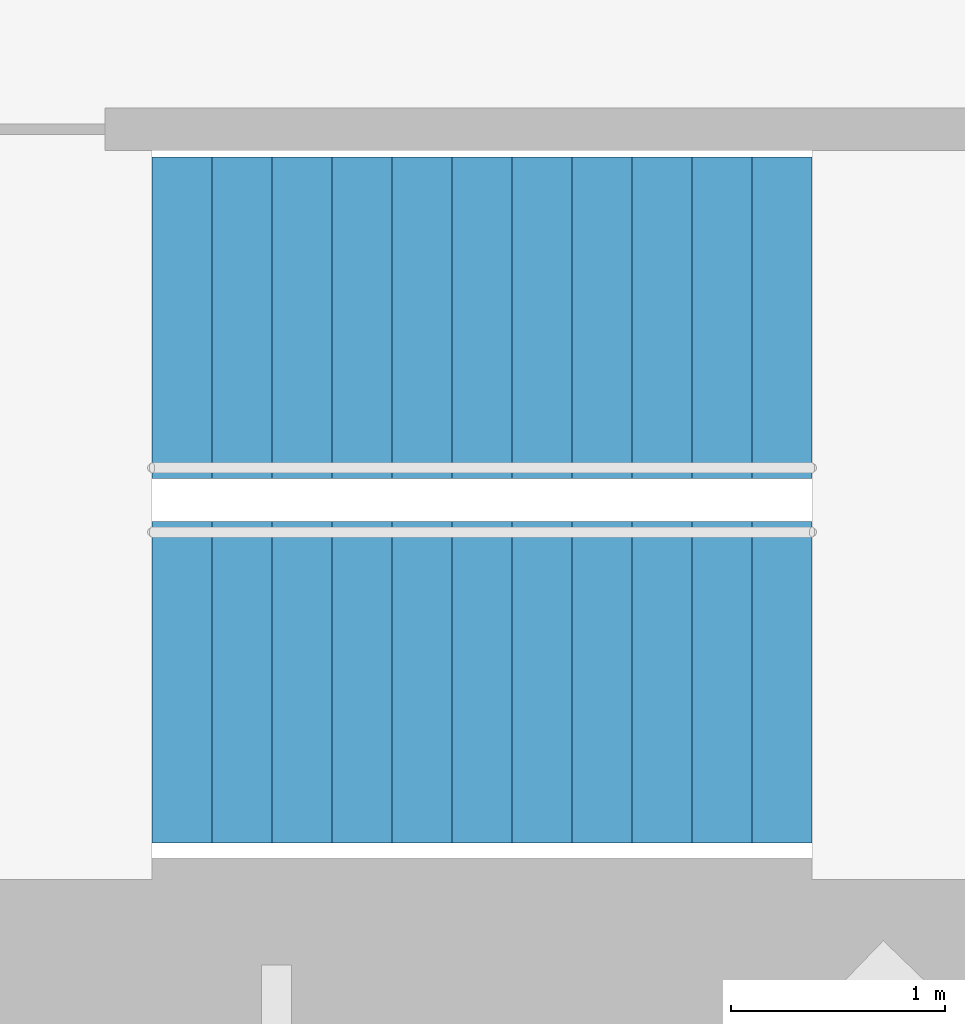
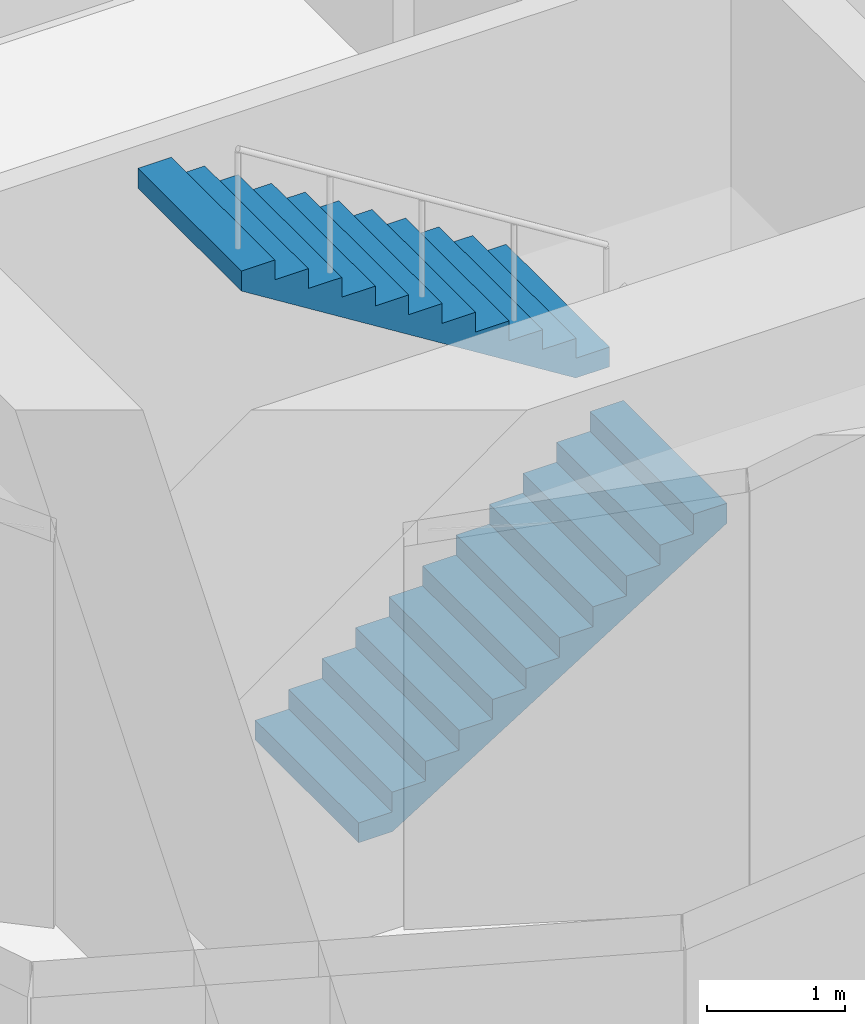
# One storey, part 15 of 17: 2 stair flights, 1 element without a shape of its own.
"""IFC4 building model written with IfcOpenShell, lengths in metres."""

from ifc_helpers import new_model, si_unit, direction, frame, origin, place, context, subcontext, project, spatial, triangles, material, type_object, element, aggregate, save


model = new_model("IFC4")

# Units and contexts
model_context = context("Model", 3, precision=1e-05, world=origin(), true_north=direction((0.0, 1.0)))
body_context = subcontext(model_context, "Body", "Model", "MODEL_VIEW")
ifc_project = project(units=[si_unit("LENGTHUNIT", "METRE"), si_unit("AREAUNIT", "SQUARE_METRE"), si_unit("VOLUMEUNIT", "CUBIC_METRE"), si_unit("PLANEANGLEUNIT", "RADIAN"), si_unit("MASSUNIT", "GRAM", prefix="KILO")], contexts=[model_context])

# Site, building, storey
site_placement = place(None, origin())
site = spatial("IfcSite", under=ifc_project, at=site_placement, CompositionType="ELEMENT")
building_placement = place(site_placement, origin())
building = spatial("IfcBuilding", under=site, at=building_placement, Name="Lantaw Convention Tower", CompositionType="ELEMENT")
storey_placement = place(building_placement, frame((0.0, 0.0, 220.0)))
storey = spatial("IfcBuildingStorey", under=building, at=storey_placement, Name="L51", CompositionType="ELEMENT", Elevation=220.0)

# Stair, stair flights
ifc_material = material(Name="Concrete C35/45", Category="concrete")
stair_type = type_object("IfcStairType", Name="Exit stair 1500 riser 175 in 2 flights", PredefinedType="HALF_TURN_STAIR", material=ifc_material)
stair_placement = place(storey_placement, origin())
stair = element("IfcStair", 1, at=stair_placement, inside=storey, type_object=stair_type, Name="Exit stair S1 L51", PredefinedType="HALF_TURN_STAIR")
stair_flight_type = type_object("IfcStairFlightType", Name="Stair flight 1500 riser 175", PredefinedType="STRAIGHT", material=ifc_material)
stair_flight_1_placement = place(storey_placement, frame((-10.580078125, -5.97998046875, 0.0), z_axis=(0.0, 0.0, 1.0), x_axis=(1.0, 0.0, 0.0)))
stair_flight_1 = element("IfcStairFlight", 2, at=stair_flight_1_placement, type_object=stair_flight_type, Name="S1 flight 1", NumberOfRisers=12, NumberOfTreads=11, PredefinedType="STRAIGHT", RiserHeight=0.175, TreadLength=0.28, context=body_context, shape_type="Tessellation", body=[
    triangles([(0.0, 0.75, 0.0), (0.0, 0.75, 0.175), (0.28, 0.75, 0.0), (0.28, 0.75, 0.175), (0.28, 0.75, 0.35), (0.28283517651771284, 0.75, 0.0), (0.28283517651771284, 0.75, 0.35), (0.56, 0.75, 0.17322801467642948), (0.56, 0.75, 0.35), (0.56, 0.75, 0.5249999999999999), (0.8400000000000001, 0.75, 0.34822801467642944), (0.8400000000000001, 0.75, 0.5249999999999999), (0.8400000000000001, 0.75, 0.7), (1.12, 0.75, 0.5232280146764294), (1.12, 0.75, 0.7), (1.12, 0.75, 0.875), (1.4000000000000001, 0.75, 0.6982280146764295), (1.4000000000000001, 0.75, 0.875), (1.4000000000000001, 0.75, 1.0499999999999998), (1.6800000000000002, 0.75, 0.8732280146764294), (1.6800000000000002, 0.75, 1.0499999999999998), (1.6800000000000002, 0.75, 1.2249999999999999), (1.9600000000000002, 0.75, 1.0482280146764293), (1.9600000000000002, 0.75, 1.2249999999999999), (1.9600000000000002, 0.75, 1.4), (2.24, 0.75, 1.2232280146764294), (2.24, 0.75, 1.4), (2.24, 0.75, 1.575), (2.5200000000000005, 0.75, 1.3982280146764294), (2.5200000000000005, 0.75, 1.575), (2.5200000000000005, 0.75, 1.75), (2.8000000000000003, 0.75, 1.5732280146764293), (2.8000000000000003, 0.75, 1.75), (2.8000000000000003, 0.75, 1.9249999999999998), (3.08, 0.75, 1.7482280146764293), (3.08, 0.75, 1.9249999999999998), (0.0, -0.75, 0.0), (0.0, -0.75, 0.175), (0.28, -0.75, 0.0), (0.28, -0.75, 0.175), (0.28, -0.75, 0.35), (0.28283517651771284, -0.75, 0.0), (0.28283517651771284, -0.75, 0.35), (0.56, -0.75, 0.17322801467642948), (0.56, -0.75, 0.35), (0.56, -0.75, 0.5249999999999999), (0.8400000000000001, -0.75, 0.34822801467642944), (0.8400000000000001, -0.75, 0.5249999999999999), (0.8400000000000001, -0.75, 0.7), (1.12, -0.75, 0.5232280146764294), (1.12, -0.75, 0.7), (1.12, -0.75, 0.875), (1.4000000000000001, -0.75, 0.6982280146764295), (1.4000000000000001, -0.75, 0.875), (1.4000000000000001, -0.75, 1.0499999999999998), (1.6800000000000002, -0.75, 0.8732280146764294), (1.6800000000000002, -0.75, 1.0499999999999998), (1.6800000000000002, -0.75, 1.2249999999999999), (1.9600000000000002, -0.75, 1.0482280146764293), (1.9600000000000002, -0.75, 1.2249999999999999), (1.9600000000000002, -0.75, 1.4), (2.24, -0.75, 1.2232280146764294), (2.24, -0.75, 1.4), (2.24, -0.75, 1.575), (2.5200000000000005, -0.75, 1.3982280146764294), (2.5200000000000005, -0.75, 1.575), (2.5200000000000005, -0.75, 1.75), (2.8000000000000003, -0.75, 1.5732280146764293), (2.8000000000000003, -0.75, 1.75), (2.8000000000000003, -0.75, 1.9249999999999998), (3.08, -0.75, 1.7482280146764293), (3.08, -0.75, 1.9249999999999998), (0.0, 0.15000000000000002, 0.175), (0.0, 0.15000000000000002, 0.0), (0.0, 0.0, 0.175), (0.0, 0.0, 0.0), (0.0, -0.15000000000000002, 0.175), (0.0, -0.15000000000000002, 0.0), (0.28, 0.15000000000000002, 0.35), (0.28, 0.15000000000000002, 0.175), (0.28, 0.0, 0.35), (0.28, 0.0, 0.175), (0.28, -0.15000000000000002, 0.35), (0.28, -0.15000000000000002, 0.175), (0.56, 0.15000000000000002, 0.5249999999999999), (0.56, 0.15000000000000002, 0.35), (0.56, 0.0, 0.5249999999999999), (0.56, 0.0, 0.35), (0.56, -0.15000000000000002, 0.5249999999999999), (0.56, -0.15000000000000002, 0.35), (0.8400000000000001, 0.15000000000000002, 0.7), (0.8400000000000001, 0.15000000000000002, 0.5249999999999999), (0.8400000000000001, 0.0, 0.7), (0.8400000000000001, 0.0, 0.5249999999999999), (0.8400000000000001, -0.15000000000000002, 0.7), (0.8400000000000001, -0.15000000000000002, 0.5249999999999999), (1.12, 0.15000000000000002, 0.875), (1.12, 0.15000000000000002, 0.7), (1.12, 0.0, 0.875), (1.12, 0.0, 0.7), (1.12, -0.15000000000000002, 0.875), (1.12, -0.15000000000000002, 0.7), (1.4000000000000001, 0.15000000000000002, 1.0499999999999998), (1.4000000000000001, 0.15000000000000002, 0.875), (1.4000000000000001, 0.0, 1.0499999999999998), (1.4000000000000001, 0.0, 0.875), (1.4000000000000001, -0.15000000000000002, 1.0499999999999998), (1.4000000000000001, -0.15000000000000002, 0.875), (1.6800000000000002, 0.15000000000000002, 1.2249999999999999), (1.6800000000000002, 0.15000000000000002, 1.0499999999999998), (1.6800000000000002, 0.0, 1.2249999999999999), (1.6800000000000002, 0.0, 1.0499999999999998), (1.6800000000000002, -0.15000000000000002, 1.2249999999999999), (1.6800000000000002, -0.15000000000000002, 1.0499999999999998), (1.9600000000000002, 0.15000000000000002, 1.4), (1.9600000000000002, 0.15000000000000002, 1.2249999999999999), (1.9600000000000002, 0.0, 1.4), (1.9600000000000002, 0.0, 1.2249999999999999), (1.9600000000000002, -0.15000000000000002, 1.4), (1.9600000000000002, -0.15000000000000002, 1.2249999999999999), (2.24, 0.15000000000000002, 1.575), (2.24, 0.15000000000000002, 1.4), (2.24, 0.0, 1.575), (2.24, 0.0, 1.4), (2.24, -0.15000000000000002, 1.575), (2.24, -0.15000000000000002, 1.4), (2.5200000000000005, 0.15000000000000002, 1.75), (2.5200000000000005, 0.15000000000000002, 1.575), (2.5200000000000005, 0.0, 1.75), (2.5200000000000005, 0.0, 1.575), (2.5200000000000005, -0.15000000000000002, 1.75), (2.5200000000000005, -0.15000000000000002, 1.575), (2.8000000000000003, 0.15000000000000002, 1.9249999999999998), (2.8000000000000003, 0.15000000000000002, 1.75), (2.8000000000000003, 0.0, 1.9249999999999998), (2.8000000000000003, 0.0, 1.75), (2.8000000000000003, -0.15000000000000002, 1.9249999999999998), (2.8000000000000003, -0.15000000000000002, 1.75), (0.28283517651771284, 0.15000000000000002, 0.35), (0.28283517651771284, 0.0, 0.35), (0.28283517651771284, -0.15000000000000002, 0.35), (3.08, 0.15000000000000002, 1.9249999999999998), (3.08, 0.0, 1.9249999999999998), (3.08, -0.15000000000000002, 1.9249999999999998), (3.08, 0.15000000000000002, 1.7482280146764293), (3.08, 0.0, 1.7482280146764293), (3.08, -0.15000000000000002, 1.7482280146764293), (2.8000000000000003, 0.15000000000000002, 1.5732280146764293), (2.8000000000000003, 0.0, 1.5732280146764293), (2.8000000000000003, -0.15000000000000002, 1.5732280146764293), (2.5200000000000005, 0.15000000000000002, 1.3982280146764294), (2.5200000000000005, 0.0, 1.3982280146764294), (2.5200000000000005, -0.15000000000000002, 1.3982280146764294), (2.24, 0.15000000000000002, 1.2232280146764294), (2.24, 0.0, 1.2232280146764294), (2.24, -0.15000000000000002, 1.2232280146764294), (1.9600000000000002, 0.15000000000000002, 1.0482280146764293), (1.9600000000000002, 0.0, 1.0482280146764293), (1.9600000000000002, -0.15000000000000002, 1.0482280146764293), (1.6800000000000002, 0.15000000000000002, 0.8732280146764294), (1.6800000000000002, 0.0, 0.8732280146764294), (1.6800000000000002, -0.15000000000000002, 0.8732280146764294), (1.4000000000000001, 0.15000000000000002, 0.6982280146764295), (1.4000000000000001, 0.0, 0.6982280146764295), (1.4000000000000001, -0.15000000000000002, 0.6982280146764295), (1.12, 0.15000000000000002, 0.5232280146764294), (1.12, 0.0, 0.5232280146764294), (1.12, -0.15000000000000002, 0.5232280146764294), (0.8400000000000001, 0.15000000000000002, 0.34822801467642944), (0.8400000000000001, 0.0, 0.34822801467642944), (0.8400000000000001, -0.15000000000000002, 0.34822801467642944), (0.56, 0.15000000000000002, 0.17322801467642948), (0.56, 0.0, 0.17322801467642948), (0.56, -0.15000000000000002, 0.17322801467642948), (0.28283517651771284, 0.15000000000000002, 0.0), (0.28283517651771284, 0.0, 0.0), (0.28283517651771284, -0.15000000000000002, 0.0), (0.28, 0.15000000000000002, 0.0), (0.28, 0.0, 0.0), (0.28, -0.15000000000000002, 0.0)], [[1, 4, 3], [1, 2, 4], [3, 4, 6], [4, 7, 6], [4, 5, 7], [6, 9, 8], [6, 7, 9], [8, 9, 11], [9, 12, 11], [9, 10, 12], [11, 12, 14], [12, 15, 14], [12, 13, 15], [14, 15, 17], [15, 18, 17], [15, 16, 18], [17, 18, 20], [18, 21, 20], [18, 19, 21], [20, 21, 23], [21, 24, 23], [21, 22, 24], [23, 24, 26], [24, 27, 26], [24, 25, 27], [26, 27, 29], [27, 30, 29], [27, 28, 30], [29, 30, 32], [30, 33, 32], [30, 31, 33], [32, 33, 35], [33, 36, 35], [33, 34, 36], [37, 39, 40], [37, 40, 38], [39, 42, 40], [40, 42, 43], [40, 43, 41], [42, 44, 45], [42, 45, 43], [44, 47, 45], [45, 47, 48], [45, 48, 46], [47, 50, 48], [48, 50, 51], [48, 51, 49], [50, 53, 51], [51, 53, 54], [51, 54, 52], [53, 56, 54], [54, 56, 57], [54, 57, 55], [56, 59, 57], [57, 59, 60], [57, 60, 58], [59, 62, 60], [60, 62, 63], [60, 63, 61], [62, 65, 63], [63, 65, 66], [63, 66, 64], [65, 68, 66], [66, 68, 69], [66, 69, 67], [68, 71, 69], [69, 71, 72], [69, 72, 70], [1, 73, 2], [1, 74, 73], [74, 75, 73], [74, 76, 75], [76, 77, 75], [76, 78, 77], [78, 38, 77], [78, 37, 38], [4, 79, 5], [4, 80, 79], [80, 81, 79], [80, 82, 81], [82, 83, 81], [82, 84, 83], [84, 41, 83], [84, 40, 41], [9, 85, 10], [9, 86, 85], [86, 87, 85], [86, 88, 87], [88, 89, 87], [88, 90, 89], [90, 46, 89], [90, 45, 46], [12, 91, 13], [12, 92, 91], [92, 93, 91], [92, 94, 93], [94, 95, 93], [94, 96, 95], [96, 49, 95], [96, 48, 49], [15, 97, 16], [15, 98, 97], [98, 99, 97], [98, 100, 99], [100, 101, 99], [100, 102, 101], [102, 52, 101], [102, 51, 52], [18, 103, 19], [18, 104, 103], [104, 105, 103], [104, 106, 105], [106, 107, 105], [106, 108, 107], [108, 55, 107], [108, 54, 55], [21, 109, 22], [21, 110, 109], [110, 111, 109], [110, 112, 111], [112, 113, 111], [112, 114, 113], [114, 58, 113], [114, 57, 58], [24, 115, 25], [24, 116, 115], [116, 117, 115], [116, 118, 117], [118, 119, 117], [118, 120, 119], [120, 61, 119], [120, 60, 61], [27, 121, 28], [27, 122, 121], [122, 123, 121], [122, 124, 123], [124, 125, 123], [124, 126, 125], [126, 64, 125], [126, 63, 64], [30, 127, 31], [30, 128, 127], [128, 129, 127], [128, 130, 129], [130, 131, 129], [130, 132, 131], [132, 67, 131], [132, 66, 67], [33, 133, 34], [33, 134, 133], [134, 135, 133], [134, 136, 135], [136, 137, 135], [136, 138, 137], [138, 70, 137], [138, 69, 70], [2, 80, 4], [2, 73, 80], [73, 82, 80], [73, 75, 82], [75, 84, 82], [75, 77, 84], [77, 40, 84], [77, 38, 40], [5, 139, 7], [5, 79, 139], [79, 140, 139], [79, 81, 140], [81, 141, 140], [81, 83, 141], [83, 43, 141], [83, 41, 43], [7, 86, 9], [7, 139, 86], [139, 88, 86], [139, 140, 88], [140, 90, 88], [140, 141, 90], [141, 45, 90], [141, 43, 45], [10, 92, 12], [10, 85, 92], [85, 94, 92], [85, 87, 94], [87, 96, 94], [87, 89, 96], [89, 48, 96], [89, 46, 48], [13, 98, 15], [13, 91, 98], [91, 100, 98], [91, 93, 100], [93, 102, 100], [93, 95, 102], [95, 51, 102], [95, 49, 51], [16, 104, 18], [16, 97, 104], [97, 106, 104], [97, 99, 106], [99, 108, 106], [99, 101, 108], [101, 54, 108], [101, 52, 54], [19, 110, 21], [19, 103, 110], [103, 112, 110], [103, 105, 112], [105, 114, 112], [105, 107, 114], [107, 57, 114], [107, 55, 57], [22, 116, 24], [22, 109, 116], [109, 118, 116], [109, 111, 118], [111, 120, 118], [111, 113, 120], [113, 60, 120], [113, 58, 60], [25, 122, 27], [25, 115, 122], [115, 124, 122], [115, 117, 124], [117, 126, 124], [117, 119, 126], [119, 63, 126], [119, 61, 63], [28, 128, 30], [28, 121, 128], [121, 130, 128], [121, 123, 130], [123, 132, 130], [123, 125, 132], [125, 66, 132], [125, 64, 66], [31, 134, 33], [31, 127, 134], [127, 136, 134], [127, 129, 136], [129, 138, 136], [129, 131, 138], [131, 69, 138], [131, 67, 69], [34, 142, 36], [34, 133, 142], [133, 143, 142], [133, 135, 143], [135, 144, 143], [135, 137, 144], [137, 72, 144], [137, 70, 72], [36, 145, 35], [36, 142, 145], [142, 146, 145], [142, 143, 146], [143, 147, 146], [143, 144, 147], [144, 71, 147], [144, 72, 71], [35, 148, 32], [35, 145, 148], [145, 149, 148], [145, 146, 149], [146, 150, 149], [146, 147, 150], [147, 68, 150], [147, 71, 68], [32, 151, 29], [32, 148, 151], [148, 152, 151], [148, 149, 152], [149, 153, 152], [149, 150, 153], [150, 65, 153], [150, 68, 65], [29, 154, 26], [29, 151, 154], [151, 155, 154], [151, 152, 155], [152, 156, 155], [152, 153, 156], [153, 62, 156], [153, 65, 62], [26, 157, 23], [26, 154, 157], [154, 158, 157], [154, 155, 158], [155, 159, 158], [155, 156, 159], [156, 59, 159], [156, 62, 59], [23, 160, 20], [23, 157, 160], [157, 161, 160], [157, 158, 161], [158, 162, 161], [158, 159, 162], [159, 56, 162], [159, 59, 56], [20, 163, 17], [20, 160, 163], [160, 164, 163], [160, 161, 164], [161, 165, 164], [161, 162, 165], [162, 53, 165], [162, 56, 53], [17, 166, 14], [17, 163, 166], [163, 167, 166], [163, 164, 167], [164, 168, 167], [164, 165, 168], [165, 50, 168], [165, 53, 50], [14, 169, 11], [14, 166, 169], [166, 170, 169], [166, 167, 170], [167, 171, 170], [167, 168, 171], [168, 47, 171], [168, 50, 47], [11, 172, 8], [11, 169, 172], [169, 173, 172], [169, 170, 173], [170, 174, 173], [170, 171, 174], [171, 44, 174], [171, 47, 44], [8, 175, 6], [8, 172, 175], [172, 176, 175], [172, 173, 176], [173, 177, 176], [173, 174, 177], [174, 42, 177], [174, 44, 42], [6, 178, 3], [6, 175, 178], [175, 179, 178], [175, 176, 179], [176, 180, 179], [176, 177, 180], [177, 39, 180], [177, 42, 39], [3, 74, 1], [3, 178, 74], [178, 76, 74], [178, 179, 76], [179, 78, 76], [179, 180, 78], [180, 37, 78], [180, 39, 37]], closed=True),
])
stair_flight_2_placement = place(storey_placement, frame((-7.5, -4.280029296875, 2.10009765625), z_axis=(0.0, 0.0, 1.0), x_axis=(-1.0, 0.0, 0.0)))
stair_flight_2 = element("IfcStairFlight", 3, at=stair_flight_2_placement, type_object=stair_flight_type, Name="S1 flight 2", NumberOfRisers=12, NumberOfTreads=11, PredefinedType="STRAIGHT", RiserHeight=0.175, TreadLength=0.28, context=body_context, shape_type="Tessellation", body=[
    triangles([(0.0, 0.75, 0.0), (0.0, 0.75, 0.175), (0.28, 0.75, 0.0), (0.28, 0.75, 0.175), (0.28, 0.75, 0.35), (0.28283517651771284, 0.75, 0.0), (0.28283517651771284, 0.75, 0.35), (0.56, 0.75, 0.17322801467642948), (0.56, 0.75, 0.35), (0.56, 0.75, 0.5249999999999999), (0.8400000000000001, 0.75, 0.34822801467642944), (0.8400000000000001, 0.75, 0.5249999999999999), (0.8400000000000001, 0.75, 0.7), (1.12, 0.75, 0.5232280146764294), (1.12, 0.75, 0.7), (1.12, 0.75, 0.875), (1.4000000000000001, 0.75, 0.6982280146764295), (1.4000000000000001, 0.75, 0.875), (1.4000000000000001, 0.75, 1.0499999999999998), (1.6800000000000002, 0.75, 0.8732280146764294), (1.6800000000000002, 0.75, 1.0499999999999998), (1.6800000000000002, 0.75, 1.2249999999999999), (1.9600000000000002, 0.75, 1.0482280146764293), (1.9600000000000002, 0.75, 1.2249999999999999), (1.9600000000000002, 0.75, 1.4), (2.24, 0.75, 1.2232280146764294), (2.24, 0.75, 1.4), (2.24, 0.75, 1.575), (2.5200000000000005, 0.75, 1.3982280146764294), (2.5200000000000005, 0.75, 1.575), (2.5200000000000005, 0.75, 1.75), (2.8000000000000003, 0.75, 1.5732280146764293), (2.8000000000000003, 0.75, 1.75), (2.8000000000000003, 0.75, 1.9249999999999998), (3.08, 0.75, 1.7482280146764293), (3.08, 0.75, 1.9249999999999998), (0.0, -0.75, 0.0), (0.0, -0.75, 0.175), (0.28, -0.75, 0.0), (0.28, -0.75, 0.175), (0.28, -0.75, 0.35), (0.28283517651771284, -0.75, 0.0), (0.28283517651771284, -0.75, 0.35), (0.56, -0.75, 0.17322801467642948), (0.56, -0.75, 0.35), (0.56, -0.75, 0.5249999999999999), (0.8400000000000001, -0.75, 0.34822801467642944), (0.8400000000000001, -0.75, 0.5249999999999999), (0.8400000000000001, -0.75, 0.7), (1.12, -0.75, 0.5232280146764294), (1.12, -0.75, 0.7), (1.12, -0.75, 0.875), (1.4000000000000001, -0.75, 0.6982280146764295), (1.4000000000000001, -0.75, 0.875), (1.4000000000000001, -0.75, 1.0499999999999998), (1.6800000000000002, -0.75, 0.8732280146764294), (1.6800000000000002, -0.75, 1.0499999999999998), (1.6800000000000002, -0.75, 1.2249999999999999), (1.9600000000000002, -0.75, 1.0482280146764293), (1.9600000000000002, -0.75, 1.2249999999999999), (1.9600000000000002, -0.75, 1.4), (2.24, -0.75, 1.2232280146764294), (2.24, -0.75, 1.4), (2.24, -0.75, 1.575), (2.5200000000000005, -0.75, 1.3982280146764294), (2.5200000000000005, -0.75, 1.575), (2.5200000000000005, -0.75, 1.75), (2.8000000000000003, -0.75, 1.5732280146764293), (2.8000000000000003, -0.75, 1.75), (2.8000000000000003, -0.75, 1.9249999999999998), (3.08, -0.75, 1.7482280146764293), (3.08, -0.75, 1.9249999999999998), (0.0, 0.15000000000000002, 0.175), (0.0, 0.15000000000000002, 0.0), (0.0, 0.0, 0.175), (0.0, 0.0, 0.0), (0.0, -0.15000000000000002, 0.175), (0.0, -0.15000000000000002, 0.0), (0.28, 0.15000000000000002, 0.35), (0.28, 0.15000000000000002, 0.175), (0.28, 0.0, 0.35), (0.28, 0.0, 0.175), (0.28, -0.15000000000000002, 0.35), (0.28, -0.15000000000000002, 0.175), (0.56, 0.15000000000000002, 0.5249999999999999), (0.56, 0.15000000000000002, 0.35), (0.56, 0.0, 0.5249999999999999), (0.56, 0.0, 0.35), (0.56, -0.15000000000000002, 0.5249999999999999), (0.56, -0.15000000000000002, 0.35), (0.8400000000000001, 0.15000000000000002, 0.7), (0.8400000000000001, 0.15000000000000002, 0.5249999999999999), (0.8400000000000001, 0.0, 0.7), (0.8400000000000001, 0.0, 0.5249999999999999), (0.8400000000000001, -0.15000000000000002, 0.7), (0.8400000000000001, -0.15000000000000002, 0.5249999999999999), (1.12, 0.15000000000000002, 0.875), (1.12, 0.15000000000000002, 0.7), (1.12, 0.0, 0.875), (1.12, 0.0, 0.7), (1.12, -0.15000000000000002, 0.875), (1.12, -0.15000000000000002, 0.7), (1.4000000000000001, 0.15000000000000002, 1.0499999999999998), (1.4000000000000001, 0.15000000000000002, 0.875), (1.4000000000000001, 0.0, 1.0499999999999998), (1.4000000000000001, 0.0, 0.875), (1.4000000000000001, -0.15000000000000002, 1.0499999999999998), (1.4000000000000001, -0.15000000000000002, 0.875), (1.6800000000000002, 0.15000000000000002, 1.2249999999999999), (1.6800000000000002, 0.15000000000000002, 1.0499999999999998), (1.6800000000000002, 0.0, 1.2249999999999999), (1.6800000000000002, 0.0, 1.0499999999999998), (1.6800000000000002, -0.15000000000000002, 1.2249999999999999), (1.6800000000000002, -0.15000000000000002, 1.0499999999999998), (1.9600000000000002, 0.15000000000000002, 1.4), (1.9600000000000002, 0.15000000000000002, 1.2249999999999999), (1.9600000000000002, 0.0, 1.4), (1.9600000000000002, 0.0, 1.2249999999999999), (1.9600000000000002, -0.15000000000000002, 1.4), (1.9600000000000002, -0.15000000000000002, 1.2249999999999999), (2.24, 0.15000000000000002, 1.575), (2.24, 0.15000000000000002, 1.4), (2.24, 0.0, 1.575), (2.24, 0.0, 1.4), (2.24, -0.15000000000000002, 1.575), (2.24, -0.15000000000000002, 1.4), (2.5200000000000005, 0.15000000000000002, 1.75), (2.5200000000000005, 0.15000000000000002, 1.575), (2.5200000000000005, 0.0, 1.75), (2.5200000000000005, 0.0, 1.575), (2.5200000000000005, -0.15000000000000002, 1.75), (2.5200000000000005, -0.15000000000000002, 1.575), (2.8000000000000003, 0.15000000000000002, 1.9249999999999998), (2.8000000000000003, 0.15000000000000002, 1.75), (2.8000000000000003, 0.0, 1.9249999999999998), (2.8000000000000003, 0.0, 1.75), (2.8000000000000003, -0.15000000000000002, 1.9249999999999998), (2.8000000000000003, -0.15000000000000002, 1.75), (0.28283517651771284, 0.15000000000000002, 0.35), (0.28283517651771284, 0.0, 0.35), (0.28283517651771284, -0.15000000000000002, 0.35), (3.08, 0.15000000000000002, 1.9249999999999998), (3.08, 0.0, 1.9249999999999998), (3.08, -0.15000000000000002, 1.9249999999999998), (3.08, 0.15000000000000002, 1.7482280146764293), (3.08, 0.0, 1.7482280146764293), (3.08, -0.15000000000000002, 1.7482280146764293), (2.8000000000000003, 0.15000000000000002, 1.5732280146764293), (2.8000000000000003, 0.0, 1.5732280146764293), (2.8000000000000003, -0.15000000000000002, 1.5732280146764293), (2.5200000000000005, 0.15000000000000002, 1.3982280146764294), (2.5200000000000005, 0.0, 1.3982280146764294), (2.5200000000000005, -0.15000000000000002, 1.3982280146764294), (2.24, 0.15000000000000002, 1.2232280146764294), (2.24, 0.0, 1.2232280146764294), (2.24, -0.15000000000000002, 1.2232280146764294), (1.9600000000000002, 0.15000000000000002, 1.0482280146764293), (1.9600000000000002, 0.0, 1.0482280146764293), (1.9600000000000002, -0.15000000000000002, 1.0482280146764293), (1.6800000000000002, 0.15000000000000002, 0.8732280146764294), (1.6800000000000002, 0.0, 0.8732280146764294), (1.6800000000000002, -0.15000000000000002, 0.8732280146764294), (1.4000000000000001, 0.15000000000000002, 0.6982280146764295), (1.4000000000000001, 0.0, 0.6982280146764295), (1.4000000000000001, -0.15000000000000002, 0.6982280146764295), (1.12, 0.15000000000000002, 0.5232280146764294), (1.12, 0.0, 0.5232280146764294), (1.12, -0.15000000000000002, 0.5232280146764294), (0.8400000000000001, 0.15000000000000002, 0.34822801467642944), (0.8400000000000001, 0.0, 0.34822801467642944), (0.8400000000000001, -0.15000000000000002, 0.34822801467642944), (0.56, 0.15000000000000002, 0.17322801467642948), (0.56, 0.0, 0.17322801467642948), (0.56, -0.15000000000000002, 0.17322801467642948), (0.28283517651771284, 0.15000000000000002, 0.0), (0.28283517651771284, 0.0, 0.0), (0.28283517651771284, -0.15000000000000002, 0.0), (0.28, 0.15000000000000002, 0.0), (0.28, 0.0, 0.0), (0.28, -0.15000000000000002, 0.0)], [[1, 4, 3], [1, 2, 4], [3, 4, 6], [4, 7, 6], [4, 5, 7], [6, 9, 8], [6, 7, 9], [8, 9, 11], [9, 12, 11], [9, 10, 12], [11, 12, 14], [12, 15, 14], [12, 13, 15], [14, 15, 17], [15, 18, 17], [15, 16, 18], [17, 18, 20], [18, 21, 20], [18, 19, 21], [20, 21, 23], [21, 24, 23], [21, 22, 24], [23, 24, 26], [24, 27, 26], [24, 25, 27], [26, 27, 29], [27, 30, 29], [27, 28, 30], [29, 30, 32], [30, 33, 32], [30, 31, 33], [32, 33, 35], [33, 36, 35], [33, 34, 36], [37, 39, 40], [37, 40, 38], [39, 42, 40], [40, 42, 43], [40, 43, 41], [42, 44, 45], [42, 45, 43], [44, 47, 45], [45, 47, 48], [45, 48, 46], [47, 50, 48], [48, 50, 51], [48, 51, 49], [50, 53, 51], [51, 53, 54], [51, 54, 52], [53, 56, 54], [54, 56, 57], [54, 57, 55], [56, 59, 57], [57, 59, 60], [57, 60, 58], [59, 62, 60], [60, 62, 63], [60, 63, 61], [62, 65, 63], [63, 65, 66], [63, 66, 64], [65, 68, 66], [66, 68, 69], [66, 69, 67], [68, 71, 69], [69, 71, 72], [69, 72, 70], [1, 73, 2], [1, 74, 73], [74, 75, 73], [74, 76, 75], [76, 77, 75], [76, 78, 77], [78, 38, 77], [78, 37, 38], [4, 79, 5], [4, 80, 79], [80, 81, 79], [80, 82, 81], [82, 83, 81], [82, 84, 83], [84, 41, 83], [84, 40, 41], [9, 85, 10], [9, 86, 85], [86, 87, 85], [86, 88, 87], [88, 89, 87], [88, 90, 89], [90, 46, 89], [90, 45, 46], [12, 91, 13], [12, 92, 91], [92, 93, 91], [92, 94, 93], [94, 95, 93], [94, 96, 95], [96, 49, 95], [96, 48, 49], [15, 97, 16], [15, 98, 97], [98, 99, 97], [98, 100, 99], [100, 101, 99], [100, 102, 101], [102, 52, 101], [102, 51, 52], [18, 103, 19], [18, 104, 103], [104, 105, 103], [104, 106, 105], [106, 107, 105], [106, 108, 107], [108, 55, 107], [108, 54, 55], [21, 109, 22], [21, 110, 109], [110, 111, 109], [110, 112, 111], [112, 113, 111], [112, 114, 113], [114, 58, 113], [114, 57, 58], [24, 115, 25], [24, 116, 115], [116, 117, 115], [116, 118, 117], [118, 119, 117], [118, 120, 119], [120, 61, 119], [120, 60, 61], [27, 121, 28], [27, 122, 121], [122, 123, 121], [122, 124, 123], [124, 125, 123], [124, 126, 125], [126, 64, 125], [126, 63, 64], [30, 127, 31], [30, 128, 127], [128, 129, 127], [128, 130, 129], [130, 131, 129], [130, 132, 131], [132, 67, 131], [132, 66, 67], [33, 133, 34], [33, 134, 133], [134, 135, 133], [134, 136, 135], [136, 137, 135], [136, 138, 137], [138, 70, 137], [138, 69, 70], [2, 80, 4], [2, 73, 80], [73, 82, 80], [73, 75, 82], [75, 84, 82], [75, 77, 84], [77, 40, 84], [77, 38, 40], [5, 139, 7], [5, 79, 139], [79, 140, 139], [79, 81, 140], [81, 141, 140], [81, 83, 141], [83, 43, 141], [83, 41, 43], [7, 86, 9], [7, 139, 86], [139, 88, 86], [139, 140, 88], [140, 90, 88], [140, 141, 90], [141, 45, 90], [141, 43, 45], [10, 92, 12], [10, 85, 92], [85, 94, 92], [85, 87, 94], [87, 96, 94], [87, 89, 96], [89, 48, 96], [89, 46, 48], [13, 98, 15], [13, 91, 98], [91, 100, 98], [91, 93, 100], [93, 102, 100], [93, 95, 102], [95, 51, 102], [95, 49, 51], [16, 104, 18], [16, 97, 104], [97, 106, 104], [97, 99, 106], [99, 108, 106], [99, 101, 108], [101, 54, 108], [101, 52, 54], [19, 110, 21], [19, 103, 110], [103, 112, 110], [103, 105, 112], [105, 114, 112], [105, 107, 114], [107, 57, 114], [107, 55, 57], [22, 116, 24], [22, 109, 116], [109, 118, 116], [109, 111, 118], [111, 120, 118], [111, 113, 120], [113, 60, 120], [113, 58, 60], [25, 122, 27], [25, 115, 122], [115, 124, 122], [115, 117, 124], [117, 126, 124], [117, 119, 126], [119, 63, 126], [119, 61, 63], [28, 128, 30], [28, 121, 128], [121, 130, 128], [121, 123, 130], [123, 132, 130], [123, 125, 132], [125, 66, 132], [125, 64, 66], [31, 134, 33], [31, 127, 134], [127, 136, 134], [127, 129, 136], [129, 138, 136], [129, 131, 138], [131, 69, 138], [131, 67, 69], [34, 142, 36], [34, 133, 142], [133, 143, 142], [133, 135, 143], [135, 144, 143], [135, 137, 144], [137, 72, 144], [137, 70, 72], [36, 145, 35], [36, 142, 145], [142, 146, 145], [142, 143, 146], [143, 147, 146], [143, 144, 147], [144, 71, 147], [144, 72, 71], [35, 148, 32], [35, 145, 148], [145, 149, 148], [145, 146, 149], [146, 150, 149], [146, 147, 150], [147, 68, 150], [147, 71, 68], [32, 151, 29], [32, 148, 151], [148, 152, 151], [148, 149, 152], [149, 153, 152], [149, 150, 153], [150, 65, 153], [150, 68, 65], [29, 154, 26], [29, 151, 154], [151, 155, 154], [151, 152, 155], [152, 156, 155], [152, 153, 156], [153, 62, 156], [153, 65, 62], [26, 157, 23], [26, 154, 157], [154, 158, 157], [154, 155, 158], [155, 159, 158], [155, 156, 159], [156, 59, 159], [156, 62, 59], [23, 160, 20], [23, 157, 160], [157, 161, 160], [157, 158, 161], [158, 162, 161], [158, 159, 162], [159, 56, 162], [159, 59, 56], [20, 163, 17], [20, 160, 163], [160, 164, 163], [160, 161, 164], [161, 165, 164], [161, 162, 165], [162, 53, 165], [162, 56, 53], [17, 166, 14], [17, 163, 166], [163, 167, 166], [163, 164, 167], [164, 168, 167], [164, 165, 168], [165, 50, 168], [165, 53, 50], [14, 169, 11], [14, 166, 169], [166, 170, 169], [166, 167, 170], [167, 171, 170], [167, 168, 171], [168, 47, 171], [168, 50, 47], [11, 172, 8], [11, 169, 172], [169, 173, 172], [169, 170, 173], [170, 174, 173], [170, 171, 174], [171, 44, 174], [171, 47, 44], [8, 175, 6], [8, 172, 175], [172, 176, 175], [172, 173, 176], [173, 177, 176], [173, 174, 177], [174, 42, 177], [174, 44, 42], [6, 178, 3], [6, 175, 178], [175, 179, 178], [175, 176, 179], [176, 180, 179], [176, 177, 180], [177, 39, 180], [177, 42, 39], [3, 74, 1], [3, 178, 74], [178, 76, 74], [178, 179, 76], [179, 78, 76], [179, 180, 78], [180, 37, 78], [180, 39, 37]], closed=True),
])
aggregate(stair, [stair_flight_1, stair_flight_2])

save(model, "model.ifc")
